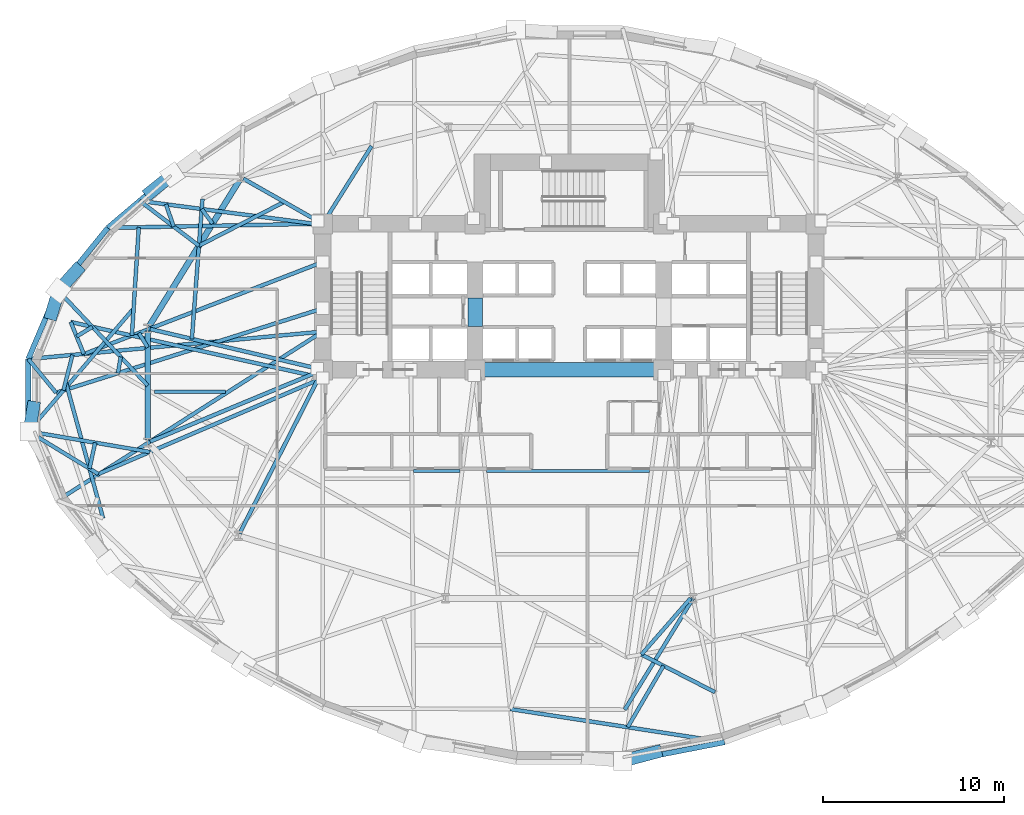
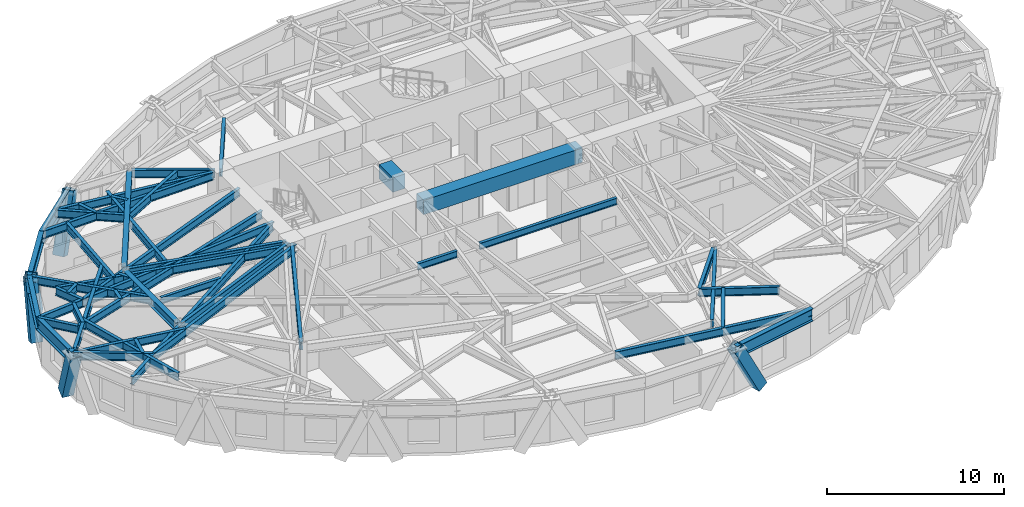
# One storey, part 2 of 14: 48 beams, 5 members.
"""IFC4 building model written with IfcOpenShell, lengths in metres."""

from ifc_helpers import new_model, si_unit, direction, frame, origin, origin_2d, place, context, subcontext, project, spatial, rectangle, hollow_rectangle, i_section, extrude, material, material_profile, profile_set, type_object, element, save


model = new_model("IFC4")

# Units and contexts
model_context = context("Model", 3, precision=1e-05, world=origin(), true_north=direction((0.0, 1.0)))
body_context = subcontext(model_context, "Body", "Model", "MODEL_VIEW")
ifc_project = project(units=[si_unit("LENGTHUNIT", "METRE"), si_unit("AREAUNIT", "SQUARE_METRE"), si_unit("VOLUMEUNIT", "CUBIC_METRE"), si_unit("PLANEANGLEUNIT", "RADIAN"), si_unit("MASSUNIT", "GRAM", prefix="KILO")], contexts=[model_context])

# Site, building, storey
site_placement = place(None, origin())
site = spatial("IfcSite", under=ifc_project, at=site_placement, CompositionType="ELEMENT")
building_placement = place(site_placement, origin())
building = spatial("IfcBuilding", under=site, at=building_placement, Name="Keldmark Tower", CompositionType="ELEMENT")
storey_placement = place(building_placement, frame((0.0, 0.0, 66.60009765625)))
storey = spatial("IfcBuildingStorey", under=building, at=storey_placement, Name="L17", CompositionType="ELEMENT", Elevation=66.60009765625)

# Beams
ifc_material_1 = material(Name="Steel ASTM A992 Grade 50", Category="steel")
ifc_material_profile_1 = material_profile(ifc_material_1, i_section(OverallWidth=0.19091796875, OverallDepth=0.45703125, WebThickness=0.009033203125, FlangeThickness=0.014404296875, at=origin_2d()), Name="W18X50")
ifc_profile_set_1 = profile_set([ifc_material_profile_1], Name="Steel ASTM A992 Grade 50")
beam_type_1 = type_object("IfcBeamType", Name="Composite Floor Joist W18X50", PredefinedType="JOIST", material=ifc_profile_set_1)
beam_1_placement = place(storey_placement, frame((-8.592041015625, -4.179931640625, 3.17138671875), z_axis=(1.0, 0.0, 0.0), x_axis=(0.0, 1.0, 0.0)))
element("IfcBeam", 1, at=beam_1_placement, inside=storey, type_object=beam_type_1, Name="L17 Composite Floor Joist J09", PredefinedType="JOIST", context=body_context, shape_type="SweptSolid", body=[
    extrude(i_section(OverallWidth=0.19091796875, OverallDepth=0.45703125, WebThickness=0.009033203125, FlangeThickness=0.014404296875, at=origin_2d()), origin(), (0.0, 0.0, 1.0), 2.5751953125),
])
beam_2_placement = place(storey_placement, frame((-4.5556640625, -4.179931640625, 3.17138671875), z_axis=(1.0, 0.0, 0.0), x_axis=(0.0, 1.0, 0.0)))
element("IfcBeam", 2, at=beam_2_placement, inside=storey, type_object=beam_type_1, Name="L17 Composite Floor Joist J10", PredefinedType="JOIST", context=body_context, shape_type="SweptSolid", body=[
    extrude(i_section(OverallWidth=0.19091796875, OverallDepth=0.45703125, WebThickness=0.009033203125, FlangeThickness=0.014404296875, at=origin_2d()), origin(), (0.0, 0.0, 1.0), 8.984130859375),
])
beam_3_placement = place(storey_placement, frame((-22.874267578125, 0.199951171875, 3.17138671875), z_axis=(1.0, 0.0, 0.0), x_axis=(0.0, 1.0, 0.0)))
element("IfcBeam", 3, at=beam_3_placement, inside=storey, type_object=beam_type_1, Name="L17 Composite Floor Joist J14", PredefinedType="JOIST", context=body_context, shape_type="SweptSolid", body=[
    extrude(i_section(OverallWidth=0.19091796875, OverallDepth=0.45703125, WebThickness=0.009033203125, FlangeThickness=0.014404296875, at=origin_2d()), origin(), (0.0, 0.0, 1.0), 3.89892578125),
])
ifc_material_2 = material(Name="Concrete C70/85", Category="concrete")
ifc_material_profile_2 = material_profile(ifc_material_2, rectangle(XDim=0.800048828125, YDim=1.0, at=origin_2d()), Name="RCB800X1000")
ifc_profile_set_2 = profile_set([ifc_material_profile_2], Name="Concrete C70/85")
beam_type_2 = type_object("IfcBeamType", Name="Core Coupling Beam RCB800X1000", PredefinedType="USERDEFINED", material=ifc_profile_set_2)
beam_4_placement = place(storey_placement, frame((-5.199951171875, 3.800048828125, 2.89990234375), z_axis=(0.0, 1.0, 0.0), x_axis=(-1.0, 0.0, 0.0)))
element("IfcBeam", 4, at=beam_4_placement, inside=storey, type_object=beam_type_2, Name="L17 West Core Coupling Beam", ObjectType="COUPLING BEAM", PredefinedType="USERDEFINED", context=body_context, shape_type="SweptSolid", body=[
    extrude(rectangle(XDim=0.800048828125, YDim=1.0, at=origin_2d()), origin(), (0.0, 0.0, 1.0), 1.550048828125),
])
beam_5_placement = place(storey_placement, frame((-5.199951171875, 1.39990234375, 2.89990234375), z_axis=(1.0, 0.0, 0.0), x_axis=(0.0, 1.0, 0.0)))
element("IfcBeam", 5, at=beam_5_placement, inside=storey, type_object=beam_type_2, Name="L17 Central South Core Coupling Beam", ObjectType="COUPLING BEAM", PredefinedType="USERDEFINED", context=body_context, shape_type="SweptSolid", body=[
    extrude(rectangle(XDim=0.800048828125, YDim=1.0, at=origin_2d()), origin(), (0.0, 0.0, 1.0), 10.39990234375),
])

# Members
ifc_material_3 = material(Name="Steel ASTM A572 Grade 50", Category="steel")
ifc_material_profile_3 = material_profile(ifc_material_3, hollow_rectangle(XDim=0.699951171875, YDim=0.699951171875, WallThickness=0.054931640625, at=origin_2d()), Name="BOX700X700X55")
ifc_profile_set_3 = profile_set([ifc_material_profile_3], Name="Steel ASTM A572 Grade 50")
member_type = type_object("IfcMemberType", Name="Diagrid Zone 1 Brace BOX700X700X55", PredefinedType="BRACE", material=ifc_profile_set_3)
member_1_placement = place(storey_placement, frame((-23.096435546875, 11.1943359375, -0.280029296875), z_axis=(0.311551668677, 0.250511178305, 0.916613172112), x_axis=(-0.626629950785, 0.779316947576, 0.0)))
element("IfcMember", 6, at=member_1_placement, inside=storey, type_object=member_type, Name="L17 Perimeter Diagrid Brace 07A", PredefinedType="BRACE", context=body_context, shape_type="SweptSolid", body=[
    extrude(hollow_rectangle(XDim=0.699951171875, YDim=0.699951171875, WallThickness=0.054931640625, at=origin_2d()), origin(), (0.0, 0.0, 1.0), 3.883544921875),
])
member_2_placement = place(storey_placement, frame((-27.160888671875, 6.898681640625, -0.280029296875), z_axis=(-0.260260102073, -0.29032169115, 0.920857206583), x_axis=(0.744605529225, -0.667504760917, 0.0)))
element("IfcMember", 7, at=member_2_placement, inside=storey, type_object=member_type, Name="L17 Perimeter Diagrid Brace 07B", PredefinedType="BRACE", context=body_context, shape_type="SweptSolid", body=[
    extrude(hollow_rectangle(XDim=0.699951171875, YDim=0.699951171875, WallThickness=0.054931640625, at=origin_2d()), origin(), (0.0, 0.0, 1.0), 3.86572265625),
])
member_3_placement = place(storey_placement, frame((-28.548583984375, 4.4951171875, -0.280029296875), z_axis=(0.101398169165, 0.339404877434, 0.935159205945), x_axis=(-0.958154550657, 0.286251387866, 0.0)))
element("IfcMember", 8, at=member_3_placement, inside=storey, type_object=member_type, Name="L17 Perimeter Diagrid Brace 08A", PredefinedType="BRACE", context=body_context, shape_type="SweptSolid", body=[
    extrude(hollow_rectangle(XDim=0.699951171875, YDim=0.699951171875, WallThickness=0.054931640625, at=origin_2d()), origin(), (0.0, 0.0, 1.0), 3.806640625),
])
member_4_placement = place(storey_placement, frame((-29.561279296875, -0.665283203125, -0.280029296875), z_axis=(-0.056364601936, -0.35017871578, 0.934985507194), x_axis=(0.987292409265, -0.158914123374, 0.0)))
element("IfcMember", 9, at=member_4_placement, inside=storey, type_object=member_type, Name="L17 Perimeter Diagrid Brace 08B", PredefinedType="BRACE", context=body_context, shape_type="SweptSolid", body=[
    extrude(hollow_rectangle(XDim=0.699951171875, YDim=0.699951171875, WallThickness=0.054931640625, at=origin_2d()), origin(), (0.0, 0.0, 1.0), 3.807373046875),
])
member_5_placement = place(storey_placement, frame((4.7802734375, -19.680908203125, -0.280029296875), z_axis=(-0.457272828994, -0.121327145959, 0.881011511569), x_axis=(0.256454179424, -0.966556389382, 0.0)))
element("IfcMember", 10, at=member_5_placement, inside=storey, type_object=member_type, Name="L17 Perimeter Diagrid Brace 13A", PredefinedType="BRACE", context=body_context, shape_type="SweptSolid", body=[
    extrude(hollow_rectangle(XDim=0.699951171875, YDim=0.699951171875, WallThickness=0.054931640625, at=origin_2d()), origin(), (0.0, 0.0, 1.0), 4.04052734375),
])

# Beams
ifc_material_4 = material(Name="Steel ASTM A992 Grade 50", Category="steel")
ifc_material_profile_4 = material_profile(ifc_material_4, i_section(OverallWidth=0.323974609375, OverallDepth=0.611083984375, WebThickness=0.0126953125, FlangeThickness=0.01904296875, at=origin_2d()), Name="W24X104")
ifc_profile_set_4 = profile_set([ifc_material_profile_4], Name="Steel ASTM A992 Grade 50")
beam_type_3 = type_object("IfcBeamType", Name="Primary Floor Girder W24X104", PredefinedType="BEAM", material=ifc_profile_set_4)
beam_6_placement = place(storey_placement, frame((-18.17138671875, 11.888427734375, 3.094482421875), z_axis=(-0.526318405849, -0.850287560573, 0.0), x_axis=(0.850287560573, -0.526318405849, 0.0)))
element("IfcBeam", 11, at=beam_6_placement, inside=storey, type_object=beam_type_3, Name="L17 Floor Ring Girder FG-R05", PredefinedType="BEAM", context=body_context, shape_type="SweptSolid", body=[
    extrude(i_section(OverallWidth=0.323974609375, OverallDepth=0.611083984375, WebThickness=0.0126953125, FlangeThickness=0.01904296875, at=origin_2d()), origin(), (0.0, 0.0, 1.0), 9.51708984375),
])
beam_7_placement = place(storey_placement, frame((-23.25390625, 3.537109375, 3.094482421875), z_axis=(0.0, -1.0, 0.0), x_axis=(1.0, 0.0, 0.0)))
element("IfcBeam", 12, at=beam_7_placement, inside=storey, type_object=beam_type_3, Name="L17 Floor Ring Girder FG-R06", PredefinedType="BEAM", context=body_context, shape_type="SweptSolid", body=[
    extrude(i_section(OverallWidth=0.323974609375, OverallDepth=0.611083984375, WebThickness=0.0126953125, FlangeThickness=0.01904296875, at=origin_2d()), origin(), (0.0, 0.0, 1.0), 6.01025390625),
])
ifc_material_5 = material(Name="Steel ASTM A992 Grade 50", Category="steel")
ifc_material_profile_5 = material_profile(ifc_material_5, i_section(OverallWidth=0.2099609375, OverallDepth=0.537109375, WebThickness=0.010986328125, FlangeThickness=0.017333984375, at=origin_2d()), Name="W21X68")
ifc_profile_set_5 = profile_set([ifc_material_profile_5], Name="Steel ASTM A992 Grade 50")
beam_type_4 = type_object("IfcBeamType", Name="Radial Tie Girder W21X68", PredefinedType="BEAM", material=ifc_profile_set_5)
beam_8_placement = place(storey_placement, frame((-13.60009765625, 9.449951171875, 3.13134765625), z_axis=(0.531973121916, 0.846761239995, 0.0), x_axis=(-0.846761239995, 0.531973121916, 0.0)))
element("IfcBeam", 13, at=beam_8_placement, inside=storey, type_object=beam_type_4, Name="L17 Framing Pin Header PH-003", PredefinedType="BEAM", context=body_context, shape_type="SweptSolid", body=[
    extrude(i_section(OverallWidth=0.2099609375, OverallDepth=0.537109375, WebThickness=0.010986328125, FlangeThickness=0.017333984375, at=origin_2d()), origin(), (0.0, 0.0, 1.0), 5.065185546875),
])
beam_9_placement = place(storey_placement, frame((-15.72216796875, 10.65673828125, 3.13134765625), z_axis=(-0.889818904919, -0.456313835477, 0.0), x_axis=(0.456313835477, -0.889818904919, 0.0)))
element("IfcBeam", 14, at=beam_9_placement, inside=storey, type_object=beam_type_4, Name="L17 Framing Pin Header PH-004", PredefinedType="BEAM", context=body_context, shape_type="SweptSolid", body=[
    extrude(i_section(OverallWidth=0.2099609375, OverallDepth=0.537109375, WebThickness=0.010986328125, FlangeThickness=0.017333984375, at=origin_2d()), origin(), (0.0, 0.0, 1.0), 5.28759765625),
])
beam_10_placement = place(storey_placement, frame((-20.816162109375, 3.102294921875, 3.13134765625), z_axis=(0.075408551021, 0.99715272172, 0.0), x_axis=(-0.99715272172, 0.075408551021, 0.0)))
element("IfcBeam", 15, at=beam_10_placement, inside=storey, type_object=beam_type_4, Name="L17 Sub-Ring Step Girder STP1-M06", PredefinedType="BEAM", context=body_context, shape_type="SweptSolid", body=[
    extrude(i_section(OverallWidth=0.2099609375, OverallDepth=0.537109375, WebThickness=0.010986328125, FlangeThickness=0.017333984375, at=origin_2d()), origin(), (0.0, 0.0, 1.0), 7.740966796875),
])
beam_11_placement = place(storey_placement, frame((-23.25390625, 2.635498046875, 3.13134765625), z_axis=(-0.518828224507, 0.854878513858, 0.0), x_axis=(-0.854878513858, -0.518828224507, 0.0)))
element("IfcBeam", 16, at=beam_11_placement, inside=storey, type_object=beam_type_4, Name="L17 Framing Pin Header PH-008", PredefinedType="BEAM", context=body_context, shape_type="SweptSolid", body=[
    extrude(i_section(OverallWidth=0.2099609375, OverallDepth=0.537109375, WebThickness=0.010986328125, FlangeThickness=0.017333984375, at=origin_2d()), origin(), (0.0, 0.0, 1.0), 0.93505859375),
])
beam_12_placement = place(storey_placement, frame((-13.60009765625, 7.343017578125, 3.13134765625), z_axis=(-0.933086891838, -0.359651014569, 0.0), x_axis=(0.359651014569, -0.933086891838, 0.0)))
element("IfcBeam", 17, at=beam_12_placement, inside=storey, type_object=beam_type_4, Name="L17 Sub-Ring Step Girder STP2-M07", PredefinedType="BEAM", context=body_context, shape_type="SweptSolid", body=[
    extrude(i_section(OverallWidth=0.2099609375, OverallDepth=0.537109375, WebThickness=0.010986328125, FlangeThickness=0.017333984375, at=origin_2d()), origin(), (0.0, 0.0, 1.0), 14.11962890625),
])
beam_13_placement = place(storey_placement, frame((-19.674072265625, 9.460693359375, 3.13134765625), z_axis=(-0.597119840933, 0.802152040179, 0.0), x_axis=(-0.802152040179, -0.597119840933, 0.0)))
element("IfcBeam", 18, at=beam_13_placement, inside=storey, type_object=beam_type_4, Name="L17 Framing Pin Header PH-023", PredefinedType="BEAM", context=body_context, shape_type="SweptSolid", body=[
    extrude(i_section(OverallWidth=0.2099609375, OverallDepth=0.537109375, WebThickness=0.010986328125, FlangeThickness=0.017333984375, at=origin_2d()), origin(), (0.0, 0.0, 1.0), 1.0048828125),
])
beam_14_placement = place(storey_placement, frame((-14.050048828125, 9.449951171875, 3.13134765625), z_axis=(-0.991495253843, 0.130142850771, 0.0), x_axis=(-0.130142850771, -0.991495253843, 0.0)))
element("IfcBeam", 19, at=beam_14_placement, inside=storey, type_object=beam_type_4, Name="L17 Intermediate Radial Step Girder RT-14M", PredefinedType="BEAM", context=body_context, shape_type="SweptSolid", body=[
    extrude(i_section(OverallWidth=0.2099609375, OverallDepth=0.537109375, WebThickness=0.010986328125, FlangeThickness=0.017333984375, at=origin_2d()), origin(), (0.0, 0.0, 1.0), 9.726806640625),
])
beam_15_placement = place(storey_placement, frame((-20.42724609375, 8.243896484375, 3.13134765625), z_axis=(-0.797439711043, 0.603398630469, 0.0), x_axis=(-0.603398630469, -0.797439711043, 0.0)))
element("IfcBeam", 20, at=beam_15_placement, inside=storey, type_object=beam_type_4, Name="L17 Local Collector Chord RT-14C", PredefinedType="BEAM", context=body_context, shape_type="SweptSolid", body=[
    extrude(i_section(OverallWidth=0.2099609375, OverallDepth=0.537109375, WebThickness=0.010986328125, FlangeThickness=0.017333984375, at=origin_2d()), origin(), (0.0, 0.0, 1.0), 4.0966796875),
])
beam_16_placement = place(storey_placement, frame((-22.24755859375, 10.52587890625, 3.13134765625), z_axis=(0.32887006821, -0.944375178748, 0.0), x_axis=(0.944375178748, 0.32887006821, 0.0)))
element("IfcBeam", 21, at=beam_16_placement, inside=storey, type_object=beam_type_4, Name="L17 Framing Pin Header PH-024", PredefinedType="BEAM", context=body_context, shape_type="SweptSolid", body=[
    extrude(i_section(OverallWidth=0.2099609375, OverallDepth=0.537109375, WebThickness=0.010986328125, FlangeThickness=0.017333984375, at=origin_2d()), origin(), (0.0, 0.0, 1.0), 1.300537109375),
])
beam_17_placement = place(storey_placement, frame((-14.050048828125, 9.449951171875, 3.13134765625), z_axis=(-0.999807410188, -0.019625048594, 0.0), x_axis=(0.019625048594, -0.999807410188, 0.0)))
element("IfcBeam", 22, at=beam_17_placement, inside=storey, type_object=beam_type_4, Name="L17 Perimeter Radial Tie Girder RT-14", PredefinedType="BEAM", context=body_context, shape_type="SweptSolid", body=[
    extrude(i_section(OverallWidth=0.2099609375, OverallDepth=0.537109375, WebThickness=0.010986328125, FlangeThickness=0.017333984375, at=origin_2d()), origin(), (0.0, 0.0, 1.0), 11.40771484375),
])
beam_18_placement = place(storey_placement, frame((-23.74462890625, 9.259765625, 3.13134765625), z_axis=(-0.063546309951, -0.997978890805, 0.0), x_axis=(0.997978890805, -0.063546309951, 0.0)))
element("IfcBeam", 23, at=beam_18_placement, inside=storey, type_object=beam_type_4, Name="L17 Framing Pin Header PH-025", PredefinedType="BEAM", context=body_context, shape_type="SweptSolid", body=[
    extrude(i_section(OverallWidth=0.2099609375, OverallDepth=0.537109375, WebThickness=0.010986328125, FlangeThickness=0.017333984375, at=origin_2d()), origin(), (0.0, 0.0, 1.0), 5.98583984375),
])
beam_19_placement = place(storey_placement, frame((-13.60009765625, 0.949951171875, 3.13134765625), z_axis=(-0.976239894118, 0.216692568244, 0.0), x_axis=(-0.216692568244, -0.976239894118, 0.0)))
element("IfcBeam", 24, at=beam_19_placement, inside=storey, type_object=beam_type_4, Name="L17 Intermediate Radial Step Girder RT-15M", PredefinedType="BEAM", context=body_context, shape_type="SweptSolid", body=[
    extrude(i_section(OverallWidth=0.2099609375, OverallDepth=0.537109375, WebThickness=0.010986328125, FlangeThickness=0.017333984375, at=origin_2d()), origin(), (0.0, 0.0, 1.0), 14.2353515625),
])
beam_20_placement = place(storey_placement, frame((-26.77490234375, 2.264892578125, 3.13134765625), z_axis=(-0.377921574492, 0.925837611859, 0.0), x_axis=(-0.925837611859, -0.377921574492, 0.0)))
element("IfcBeam", 25, at=beam_20_placement, inside=storey, type_object=beam_type_4, Name="L17 Local Collector Chord RT-15C", PredefinedType="BEAM", context=body_context, shape_type="SweptSolid", body=[
    extrude(i_section(OverallWidth=0.2099609375, OverallDepth=0.537109375, WebThickness=0.010986328125, FlangeThickness=0.017333984375, at=origin_2d()), origin(), (0.0, 0.0, 1.0), 1.91162109375),
])
beam_21_placement = place(storey_placement, frame((-27.172119140625, 3.23828125, 3.13134765625), z_axis=(0.852997250364, 0.521915405858, 0.0), x_axis=(-0.521915405858, 0.852997250364, 0.0)))
element("IfcBeam", 26, at=beam_21_placement, inside=storey, type_object=beam_type_4, Name="L17 Framing Pin Header PH-026", PredefinedType="BEAM", context=body_context, shape_type="SweptSolid", body=[
    extrude(i_section(OverallWidth=0.2099609375, OverallDepth=0.537109375, WebThickness=0.010986328125, FlangeThickness=0.017333984375, at=origin_2d()), origin(), (0.0, 0.0, 1.0), 1.018310546875),
])
beam_22_placement = place(storey_placement, frame((-23.25390625, 0.531982421875, 3.13134765625), z_axis=(-0.685622247374, 0.72795750831, 0.0), x_axis=(-0.72795750831, -0.685622247374, 0.0)))
element("IfcBeam", 27, at=beam_22_placement, inside=storey, type_object=beam_type_4, Name="L17 Perimeter Radial Tie Girder RT-15", PredefinedType="BEAM", context=body_context, shape_type="SweptSolid", body=[
    extrude(i_section(OverallWidth=0.2099609375, OverallDepth=0.537109375, WebThickness=0.010986328125, FlangeThickness=0.017333984375, at=origin_2d()), origin(), (0.0, 0.0, 1.0), 7.2431640625),
])
beam_23_placement = place(storey_placement, frame((-13.60009765625, 3.507080078125, 3.13134765625), z_axis=(-0.995677903097, -0.092873641493, 0.0), x_axis=(0.092873641493, -0.995677903097, 0.0)))
element("IfcBeam", 28, at=beam_23_placement, inside=storey, type_object=beam_type_4, Name="L17 Perimeter Radial Tie Girder RT-16", PredefinedType="BEAM", context=body_context, shape_type="SweptSolid", body=[
    extrude(i_section(OverallWidth=0.2099609375, OverallDepth=0.537109375, WebThickness=0.010986328125, FlangeThickness=0.017333984375, at=origin_2d()), origin(), (0.0, 0.0, 1.0), 16.30615234375),
])
beam_24_placement = place(storey_placement, frame((-24.743896484375, 2.11376953125, 3.13134765625), z_axis=(-0.164442417664, -0.986386684456, 0.0), x_axis=(0.986386684456, -0.164442417664, 0.0)))
element("IfcBeam", 29, at=beam_24_placement, inside=storey, type_object=beam_type_4, Name="L17 Framing Pin Header PH-027", PredefinedType="BEAM", context=body_context, shape_type="SweptSolid", body=[
    extrude(i_section(OverallWidth=0.2099609375, OverallDepth=0.537109375, WebThickness=0.010986328125, FlangeThickness=0.017333984375, at=origin_2d()), origin(), (0.0, 0.0, 1.0), 0.91162109375),
])
beam_25_placement = place(storey_placement, frame((-13.60009765625, 4.78564453125, 3.13134765625), z_axis=(-0.953471830578, -0.301482119361, 0.0), x_axis=(0.301482119361, -0.953471830578, 0.0)))
element("IfcBeam", 30, at=beam_25_placement, inside=storey, type_object=beam_type_4, Name="L17 Intermediate Radial Step Girder RT-17M", PredefinedType="BEAM", context=body_context, shape_type="SweptSolid", body=[
    extrude(i_section(OverallWidth=0.2099609375, OverallDepth=0.537109375, WebThickness=0.010986328125, FlangeThickness=0.017333984375, at=origin_2d()), origin(), (0.0, 0.0, 1.0), 15.422607421875),
])
beam_26_placement = place(storey_placement, frame((-29.835693359375, 1.99267578125, 3.13134765625), z_axis=(0.636073495216, -0.771628478404, 0.0), x_axis=(0.771628478404, 0.636073495216, 0.0)))
element("IfcBeam", 31, at=beam_26_placement, inside=storey, type_object=beam_type_4, Name="L17 Local Collector Chord RT-17C", PredefinedType="BEAM", context=body_context, shape_type="SweptSolid", body=[
    extrude(i_section(OverallWidth=0.2099609375, OverallDepth=0.537109375, WebThickness=0.010986328125, FlangeThickness=0.017333984375, at=origin_2d()), origin(), (0.0, 0.0, 1.0), 2.40625),
])
beam_27_placement = place(storey_placement, frame((-27.400390625, 2.2197265625, 3.13134765625), z_axis=(-0.24802329244, -0.968754069105, 0.0), x_axis=(0.968754069105, -0.24802329244, 0.0)))
element("IfcBeam", 32, at=beam_27_placement, inside=storey, type_object=beam_type_4, Name="L17 Framing Pin Header PH-028", PredefinedType="BEAM", context=body_context, shape_type="SweptSolid", body=[
    extrude(i_section(OverallWidth=0.2099609375, OverallDepth=0.537109375, WebThickness=0.010986328125, FlangeThickness=0.017333984375, at=origin_2d()), origin(), (0.0, 0.0, 1.0), 2.018798828125),
])
beam_28_placement = place(storey_placement, frame((-24.02978515625, 4.779541015625, 3.13134765625), z_axis=(-0.650865750022, -0.759192844703, 0.0), x_axis=(0.759192844703, -0.650865750022, 0.0)))
element("IfcBeam", 33, at=beam_28_placement, inside=storey, type_object=beam_type_4, Name="L17 Perimeter Radial Tie Girder RT-17", PredefinedType="BEAM", context=body_context, shape_type="SweptSolid", body=[
    extrude(i_section(OverallWidth=0.2099609375, OverallDepth=0.537109375, WebThickness=0.010986328125, FlangeThickness=0.017333984375, at=origin_2d()), origin(), (0.0, 0.0, 1.0), 8.920166015625),
])
beam_29_placement = place(storey_placement, frame((-29.835693359375, -1.99267578125, 3.13134765625), z_axis=(0.985837732683, -0.167702011971, 0.0), x_axis=(0.167702011971, 0.985837732683, 0.0)))
element("IfcBeam", 34, at=beam_29_placement, inside=storey, type_object=beam_type_4, Name="L17 Framing Pin Header PH-029", PredefinedType="BEAM", context=body_context, shape_type="SweptSolid", body=[
    extrude(i_section(OverallWidth=0.2099609375, OverallDepth=0.537109375, WebThickness=0.010986328125, FlangeThickness=0.017333984375, at=origin_2d()), origin(), (0.0, 0.0, 1.0), 6.794189453125),
])
beam_30_placement = place(storey_placement, frame((-13.60009765625, 0.949951171875, 3.13134765625), z_axis=(-0.919338174353, -0.393468322964, 0.0), x_axis=(0.393468322964, -0.919338174353, 0.0)))
element("IfcBeam", 35, at=beam_30_placement, inside=storey, type_object=beam_type_4, Name="L17 Intermediate Radial Step Girder RT-18M", PredefinedType="BEAM", context=body_context, shape_type="SweptSolid", body=[
    extrude(i_section(OverallWidth=0.2099609375, OverallDepth=0.537109375, WebThickness=0.010986328125, FlangeThickness=0.017333984375, at=origin_2d()), origin(), (0.0, 0.0, 1.0), 13.460693359375),
])
beam_31_placement = place(storey_placement, frame((-29.835693359375, -1.99267578125, 3.13134765625), z_axis=(0.853821931224, -0.520565183009, 0.0), x_axis=(0.520565183009, 0.853821931224, 0.0)))
element("IfcBeam", 36, at=beam_31_placement, inside=storey, type_object=beam_type_4, Name="L17 Local Collector Chord RT-18C", PredefinedType="BEAM", context=body_context, shape_type="SweptSolid", body=[
    extrude(i_section(OverallWidth=0.2099609375, OverallDepth=0.537109375, WebThickness=0.010986328125, FlangeThickness=0.017333984375, at=origin_2d()), origin(), (0.0, 0.0, 1.0), 4.521484375),
])
beam_32_placement = place(storey_placement, frame((-13.60009765625, 3.507080078125, 3.13134765625), z_axis=(-0.843446832552, -0.537212658691, 0.0), x_axis=(0.537212658691, -0.843446832552, 0.0)))
element("IfcBeam", 37, at=beam_32_placement, inside=storey, type_object=beam_type_4, Name="L17 Perimeter Radial Tie Girder RT-18", PredefinedType="BEAM", context=body_context, shape_type="SweptSolid", body=[
    extrude(i_section(OverallWidth=0.2099609375, OverallDepth=0.537109375, WebThickness=0.010986328125, FlangeThickness=0.017333984375, at=origin_2d()), origin(), (0.0, 0.0, 1.0), 17.33349609375),
])
beam_33_placement = place(storey_placement, frame((-26.15185546875, -2.619384765625, 3.13134765625), z_axis=(-0.213129418875, -0.977023976579, 0.0), x_axis=(0.977023976579, -0.213129418875, 0.0)))
element("IfcBeam", 38, at=beam_33_placement, inside=storey, type_object=beam_type_4, Name="L17 Framing Pin Header PH-030", PredefinedType="BEAM", context=body_context, shape_type="SweptSolid", body=[
    extrude(i_section(OverallWidth=0.2099609375, OverallDepth=0.537109375, WebThickness=0.010986328125, FlangeThickness=0.017333984375, at=origin_2d()), origin(), (0.0, 0.0, 1.0), 1.462890625),
])
beam_34_placement = place(storey_placement, frame((-27.77587890625, 0.7529296875, 3.13134765625), z_axis=(0.263638059848, -0.964621673715, 0.0), x_axis=(0.964621673715, 0.263638059848, 0.0)))
element("IfcBeam", 39, at=beam_34_placement, inside=storey, type_object=beam_type_4, Name="L17 Intermediate Radial Step Girder RT-19M", PredefinedType="BEAM", context=body_context, shape_type="SweptSolid", body=[
    extrude(i_section(OverallWidth=0.2099609375, OverallDepth=0.537109375, WebThickness=0.010986328125, FlangeThickness=0.017333984375, at=origin_2d()), origin(), (0.0, 0.0, 1.0), 7.81591796875),
])
beam_35_placement = place(storey_placement, frame((6.68212890625, -11.205810546875, 3.13134765625), z_axis=(-0.657978684624, -0.753036553283, 0.0), x_axis=(0.753036553283, -0.657978684624, 0.0)))
element("IfcBeam", 40, at=beam_35_placement, inside=storey, type_object=beam_type_4, Name="L17 Framing Pin Header PH-034", PredefinedType="BEAM", context=body_context, shape_type="SweptSolid", body=[
    extrude(i_section(OverallWidth=0.2099609375, OverallDepth=0.537109375, WebThickness=0.010986328125, FlangeThickness=0.017333984375, at=origin_2d()), origin(), (0.0, 0.0, 1.0), 4.109375),
])
beam_36_placement = place(storey_placement, frame((6.822021484375, -11.205810546875, 3.13134765625), z_axis=(-0.522971437671, -0.852350207004, 0.0), x_axis=(0.852350207004, -0.522971437671, 0.0)))
element("IfcBeam", 41, at=beam_36_placement, inside=storey, type_object=beam_type_4, Name="L17 Local Collector Chord RT-25C", PredefinedType="BEAM", context=body_context, shape_type="SweptSolid", body=[
    extrude(i_section(OverallWidth=0.2099609375, OverallDepth=0.537109375, WebThickness=0.010986328125, FlangeThickness=0.017333984375, at=origin_2d()), origin(), (0.0, 0.0, 1.0), 7.200927734375),
])
beam_37_placement = place(storey_placement, frame((3.978271484375, -14.30029296875, 3.13134765625), z_axis=(0.889711320552, -0.456523565746, 0.0), x_axis=(0.456523565746, 0.889711320552, 0.0)))
element("IfcBeam", 42, at=beam_37_placement, inside=storey, type_object=beam_type_4, Name="L17 Local Collector Chord RT-26C", PredefinedType="BEAM", context=body_context, shape_type="SweptSolid", body=[
    extrude(i_section(OverallWidth=0.2099609375, OverallDepth=0.537109375, WebThickness=0.010986328125, FlangeThickness=0.017333984375, at=origin_2d()), origin(), (0.0, 0.0, 1.0), 4.551025390625),
])
beam_38_placement = place(storey_placement, frame((-3.250244140625, -17.31201171875, 3.13134765625), z_axis=(0.988293155092, -0.152566836494, 0.0), x_axis=(0.152566836494, 0.988293155092, 0.0)))
element("IfcBeam", 43, at=beam_38_placement, inside=storey, type_object=beam_type_4, Name="L17 Straddling Support Chord RT-25RB", PredefinedType="BEAM", context=body_context, shape_type="SweptSolid", body=[
    extrude(i_section(OverallWidth=0.2099609375, OverallDepth=0.537109375, WebThickness=0.010986328125, FlangeThickness=0.017333984375, at=origin_2d()), origin(), (0.0, 0.0, 1.0), 11.950439453125),
])
beam_39_placement = place(storey_placement, frame((5.193115234375, -14.923583984375, 3.13134765625), z_axis=(-0.503917482213, -0.863751799489, 0.0), x_axis=(0.863751799489, -0.503917482213, 0.0)))
element("IfcBeam", 44, at=beam_39_placement, inside=storey, type_object=beam_type_4, Name="L17 Framing Pin Header PH-047", PredefinedType="BEAM", context=body_context, shape_type="SweptSolid", body=[
    extrude(i_section(OverallWidth=0.2099609375, OverallDepth=0.537109375, WebThickness=0.010986328125, FlangeThickness=0.017333984375, at=origin_2d()), origin(), (0.0, 0.0, 1.0), 3.9208984375),
])
ifc_material_6 = material(Name="Steel ASTM A992 Grade 50", Category="steel")
ifc_material_profile_6 = material_profile(ifc_material_6, i_section(OverallWidth=0.214111328125, OverallDepth=0.549072265625, WebThickness=0.0146484375, FlangeThickness=0.023681640625, at=origin_2d()), Name="W21X93")
ifc_profile_set_6 = profile_set([ifc_material_profile_6], Name="Steel ASTM A992 Grade 50")
beam_type_5 = type_object("IfcBeamType", Name="Radial Tie Girder W21X93", PredefinedType="BEAM", material=ifc_profile_set_6)
beam_40_placement = place(storey_placement, frame((-17.97607421875, 11.938232421875, 3.12548828125), z_axis=(0.869299282131, -0.494286109542, 0.0), x_axis=(0.494286109542, 0.869299282131, 0.0)))
element("IfcBeam", 45, at=beam_40_placement, inside=storey, type_object=beam_type_5, Name="L17 Floor Radial Girder FG-C05", PredefinedType="BEAM", context=body_context, shape_type="SweptSolid", body=[
    extrude(i_section(OverallWidth=0.214111328125, OverallDepth=0.549072265625, WebThickness=0.0146484375, FlangeThickness=0.023681640625, at=origin_2d()), origin(), (0.0, 0.0, 1.0), 4.714111328125),
])
beam_41_placement = place(storey_placement, frame((-23.11767578125, 3.64501953125, 3.12548828125), z_axis=(0.973287364179, -0.229590301909, 0.0), x_axis=(0.229590301909, 0.973287364179, 0.0)))
element("IfcBeam", 46, at=beam_41_placement, inside=storey, type_object=beam_type_5, Name="L17 Floor Radial Girder FG-C06", PredefinedType="BEAM", context=body_context, shape_type="SweptSolid", body=[
    extrude(i_section(OverallWidth=0.214111328125, OverallDepth=0.549072265625, WebThickness=0.0146484375, FlangeThickness=0.023681640625, at=origin_2d()), origin(), (0.0, 0.0, 1.0), 9.458740234375),
])
beam_42_placement = place(storey_placement, frame((-23.124755859375, -2.5595703125, 3.12548828125), z_axis=(0.923390978102, 0.383860784088, 0.0), x_axis=(-0.383860784088, 0.923390978102, 0.0)))
element("IfcBeam", 47, at=beam_42_placement, inside=storey, type_object=beam_type_5, Name="L17 Floor Radial Girder FG-C07", PredefinedType="BEAM", context=body_context, shape_type="SweptSolid", body=[
    extrude(i_section(OverallWidth=0.214111328125, OverallDepth=0.549072265625, WebThickness=0.0146484375, FlangeThickness=0.023681640625, at=origin_2d()), origin(), (0.0, 0.0, 1.0), 9.994873046875),
])
beam_43_placement = place(storey_placement, frame((-18.189453125, -7.630859375, 3.12548828125), z_axis=(0.453037526986, 0.891491446478, 0.0), x_axis=(-0.891491446478, 0.453037526986, 0.0)))
element("IfcBeam", 48, at=beam_43_placement, inside=storey, type_object=beam_type_5, Name="L17 Floor Radial Girder FG-C08", PredefinedType="BEAM", context=body_context, shape_type="SweptSolid", body=[
    extrude(i_section(OverallWidth=0.214111328125, OverallDepth=0.549072265625, WebThickness=0.0146484375, FlangeThickness=0.023681640625, at=origin_2d()), origin(), (0.0, 0.0, 1.0), 9.81005859375),
])
ifc_material_7 = material(Name="Steel ASTM A992 Grade 50", Category="steel")
ifc_material_profile_7 = material_profile(ifc_material_7, i_section(OverallWidth=0.2919921875, OverallDepth=0.85888671875, WebThickness=0.01708984375, FlangeThickness=0.031005859375, at=origin_2d()), Name="W33X169")
ifc_profile_set_7 = profile_set([ifc_material_profile_7], Name="Steel ASTM A992 Grade 50")
beam_type_6 = type_object("IfcBeamType", Name="Spandrel Ring Beam W33X169", PredefinedType="SPANDREL", material=ifc_profile_set_7)
beam_44_placement = place(storey_placement, frame((-21.932861328125, 12.205322265625, 2.970458984375), z_axis=(-0.763546839071, -0.645752448346, 0.0), x_axis=(0.645752448346, -0.763546839071, 0.0)))
element("IfcBeam", 49, at=beam_44_placement, inside=storey, type_object=beam_type_6, Name="L17 Perimeter Spandrel Ring Beam SRB-13", PredefinedType="SPANDREL", context=body_context, shape_type="SweptSolid", body=[
    extrude(i_section(OverallWidth=0.2919921875, OverallDepth=0.85888671875, WebThickness=0.01708984375, FlangeThickness=0.031005859375, at=origin_2d()), origin(), (0.0, 0.0, 1.0), 4.613525390625),
])
beam_45_placement = place(storey_placement, frame((-25.45556640625, 9.22607421875, 2.970458984375), z_axis=(-0.628471460058, -0.77783264517, 0.0), x_axis=(0.77783264517, -0.628471460058, 0.0)))
element("IfcBeam", 50, at=beam_45_placement, inside=storey, type_object=beam_type_6, Name="L17 Perimeter Spandrel Ring Beam SRB-14", PredefinedType="SPANDREL", context=body_context, shape_type="SweptSolid", body=[
    extrude(i_section(OverallWidth=0.2919921875, OverallDepth=0.85888671875, WebThickness=0.01708984375, FlangeThickness=0.031005859375, at=origin_2d()), origin(), (0.0, 0.0, 1.0), 4.398681640625),
])
beam_46_placement = place(storey_placement, frame((-28.219970703125, 5.8046875, 2.970458984375), z_axis=(-0.39024393086, -0.92071150445, 0.0), x_axis=(0.92071150445, -0.39024393086, 0.0)))
element("IfcBeam", 51, at=beam_46_placement, inside=storey, type_object=beam_type_6, Name="L17 Perimeter Spandrel Ring Beam SRB-15", PredefinedType="SPANDREL", context=body_context, shape_type="SweptSolid", body=[
    extrude(i_section(OverallWidth=0.2919921875, OverallDepth=0.85888671875, WebThickness=0.01708984375, FlangeThickness=0.031005859375, at=origin_2d()), origin(), (0.0, 0.0, 1.0), 4.140380859375),
])
beam_47_placement = place(storey_placement, frame((-29.835693359375, 1.99267578125, 2.970458984375), z_axis=(0.0, -1.0, 0.0), x_axis=(1.0, 0.0, 0.0)))
element("IfcBeam", 52, at=beam_47_placement, inside=storey, type_object=beam_type_6, Name="L17 Perimeter Spandrel Ring Beam SRB-16", PredefinedType="SPANDREL", context=body_context, shape_type="SweptSolid", body=[
    extrude(i_section(OverallWidth=0.2919921875, OverallDepth=0.85888671875, WebThickness=0.01708984375, FlangeThickness=0.031005859375, at=origin_2d()), origin(), (0.0, 0.0, 1.0), 3.9853515625),
])
beam_48_placement = place(storey_placement, frame((2.938720703125, -20.230712890625, 2.970458984375), z_axis=(0.981537660085, 0.191268977712, 0.0), x_axis=(-0.191268977712, 0.981537660085, 0.0)))
element("IfcBeam", 53, at=beam_48_placement, inside=storey, type_object=beam_type_6, Name="L17 Perimeter Spandrel Ring Beam SRB-25", PredefinedType="SPANDREL", context=body_context, shape_type="SweptSolid", body=[
    extrude(i_section(OverallWidth=0.2919921875, OverallDepth=0.85888671875, WebThickness=0.01708984375, FlangeThickness=0.031005859375, at=origin_2d()), origin(), (0.0, 0.0, 1.0), 5.727294921875),
])

save(model, "model.ifc")
